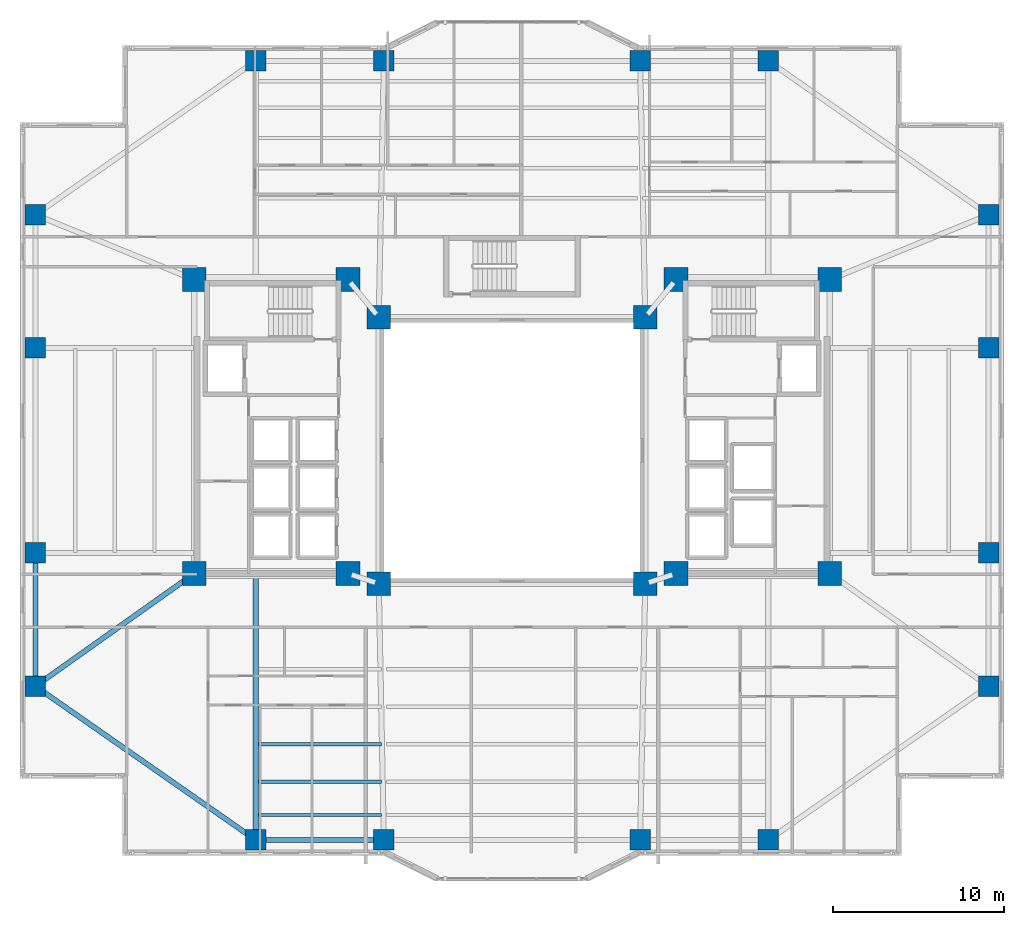
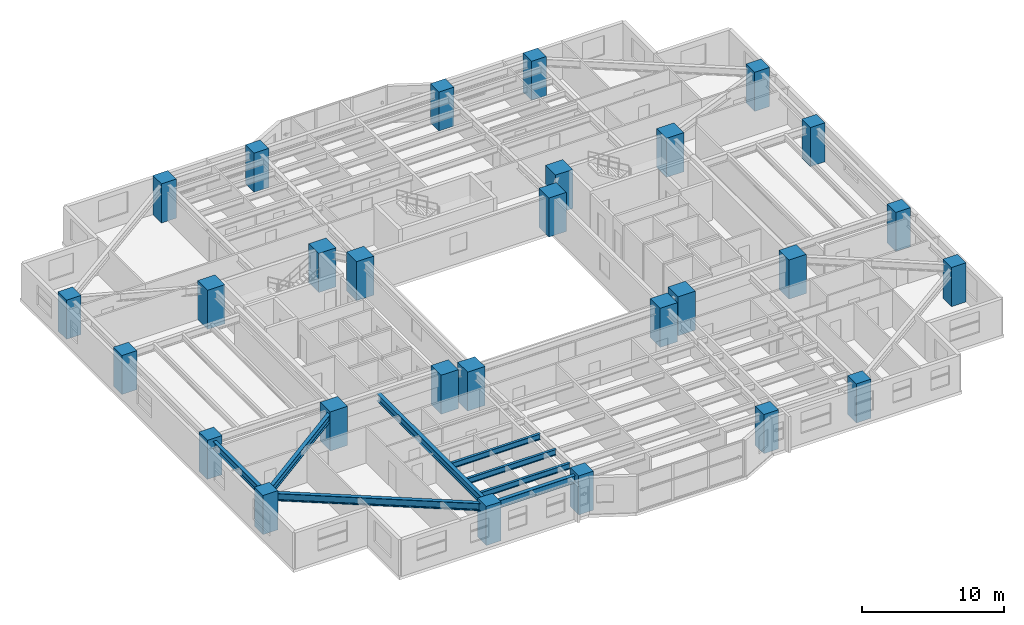
# One storey, part 1 of 20: 28 columns, 8 beams.
"""IFC4 building model written with IfcOpenShell, lengths in metres."""

from ifc_helpers import new_model, si_unit, direction, frame, origin, origin_2d, place, context, subcontext, project, spatial, rectangle, i_section, extrude, material, material_profile, profile_set, type_object, element, save


model = new_model("IFC4")

# Units and contexts
model_context = context("Model", 3, precision=1e-05, world=origin(), true_north=direction((0.0, 1.0)))
body_context = subcontext(model_context, "Body", "Model", "MODEL_VIEW")
ifc_project = project(units=[si_unit("LENGTHUNIT", "METRE"), si_unit("AREAUNIT", "SQUARE_METRE"), si_unit("VOLUMEUNIT", "CUBIC_METRE"), si_unit("PLANEANGLEUNIT", "RADIAN"), si_unit("MASSUNIT", "GRAM", prefix="KILO")], contexts=[model_context])

# Site, building, storey
site_placement = place(None, origin())
site = spatial("IfcSite", under=ifc_project, at=site_placement, CompositionType="ELEMENT")
building_placement = place(site_placement, origin())
building = spatial("IfcBuilding", under=site, at=building_placement, Name="Tarnavaz Court Tower", CompositionType="ELEMENT")
storey_placement = place(building_placement, frame((0.0, 0.0, 34.050048828125)))
storey = spatial("IfcBuildingStorey", under=building, at=storey_placement, Name="L08", CompositionType="ELEMENT", Elevation=34.050048828125)

# Columns
ifc_material_1 = material(Name="Concrete C60/75", Category="concrete")
ifc_material_profile_1 = material_profile(ifc_material_1, rectangle(XDim=1.199951171875, YDim=1.199951171875, at=origin_2d()), Name="RC 1200X1200")
ifc_profile_set_1 = profile_set([ifc_material_profile_1], Name="Concrete C60/75")
column_type_1 = type_object("IfcColumnType", Name="CL-RC1200", PredefinedType="COLUMN", material=ifc_profile_set_1)
for number, where, z_axis, x_axis, name in (
    (1, (-15.0, 22.800048828125, 0.0), (0.0, 0.0, 1.0), (1.0, 0.0, 0.0), "L08 Column PN-1"),
    (2, (-7.5, 22.800048828125, 0.0), (0.0, 0.0, 1.0), (1.0, 0.0, 0.0), "L08 Column PN-2"),
    (3, (7.5, 22.800048828125, 0.0), (0.0, 0.0, 1.0), (1.0, 0.0, 0.0), "L08 Column PN-3"),
    (4, (15.0, 22.800048828125, 0.0), (0.0, 0.0, 1.0), (1.0, 0.0, 0.0), "L08 Column PN-4"),
    (5, (-15.0, -22.800048828125, 0.0), (0.0, 0.0, 1.0), (1.0, 0.0, 0.0), "L08 Column PS-1"),
    (6, (-7.5, -22.800048828125, 0.0), (0.0, 0.0, 1.0), (1.0, 0.0, 0.0), "L08 Column PS-2"),
    (7, (7.5, -22.800048828125, 0.0), (0.0, 0.0, 1.0), (1.0, 0.0, 0.0), "L08 Column PS-3"),
    (8, (15.0, -22.800048828125, 0.0), (0.0, 0.0, 1.0), (1.0, 0.0, 0.0), "L08 Column PS-4"),
    (9, (27.89990234375, -13.800048828125, 0.0), (0.0, 0.0, 1.0), (1.0, 0.0, 0.0), "L08 Column PE-1"),
    (10, (27.89990234375, -6.0, 0.0), (0.0, 0.0, 1.0), (1.0, 0.0, 0.0), "L08 Column PE-2"),
    (11, (27.89990234375, 6.0, 0.0), (0.0, 0.0, 1.0), (1.0, 0.0, 0.0), "L08 Column PE-3"),
    (12, (27.89990234375, 13.800048828125, 0.0), (0.0, 0.0, 1.0), (1.0, 0.0, 0.0), "L08 Column PE-4"),
    (13, (-27.89990234375, -13.800048828125, 0.0), (0.0, 0.0, 1.0), (1.0, 0.0, 0.0), "L08 Column PW-1"),
    (14, (-27.89990234375, -6.0, 0.0), (0.0, 0.0, 1.0), (1.0, 0.0, 0.0), "L08 Column PW-2"),
    (15, (-27.89990234375, 6.0, 0.0), (0.0, 0.0, 1.0), (1.0, 0.0, 0.0), "L08 Column PW-3"),
    (16, (-27.89990234375, 13.800048828125, 0.0), (0.0, 0.0, 1.0), (1.0, 0.0, 0.0), "L08 Column PW-4"),
):
    element("IfcColumn", number, at=place(storey_placement, frame(where, z_axis=z_axis, x_axis=x_axis)), inside=storey, type_object=column_type_1, Name=name, PredefinedType="COLUMN", context=body_context, shape_type="SweptSolid", body=[
        extrude(rectangle(XDim=1.199951171875, YDim=1.199951171875, at=origin_2d()), origin(), (0.0, 0.0, 1.0), 3.349853515625),
    ])
ifc_material_profile_2 = material_profile(ifc_material_1, rectangle(XDim=1.39990234375, YDim=1.39990234375, at=origin_2d()), Name="RC 1400X1400")
ifc_profile_set_2 = profile_set([ifc_material_profile_2], Name="Concrete C60/75")
column_type_2 = type_object("IfcColumnType", Name="CL-RC1400", PredefinedType="COLUMN", material=ifc_profile_set_2)
for number, where, z_axis, x_axis, name in (
    (17, (-7.800048828125, -7.800048828125, 0.0), (0.0, 0.0, 1.0), (1.0, 0.0, 0.0), "L08 Column IW-SW"),
    (18, (7.800048828125, -7.800048828125, 0.0), (0.0, 0.0, 1.0), (1.0, 0.0, 0.0), "L08 Column IW-SE"),
    (19, (-7.800048828125, 7.800048828125, 0.0), (0.0, 0.0, 1.0), (1.0, 0.0, 0.0), "L08 Column IW-NW"),
    (20, (7.800048828125, 7.800048828125, 0.0), (0.0, 0.0, 1.0), (1.0, 0.0, 0.0), "L08 Column IW-NE"),
    (21, (-9.60009765625, -7.199951171875, 0.0), (0.0, 0.0, 1.0), (1.0, 0.0, 0.0), "L08 Column CW-SI"),
    (22, (-9.60009765625, 10.0, 0.0), (0.0, 0.0, 1.0), (1.0, 0.0, 0.0), "L08 Column CW-NI"),
    (23, (9.60009765625, -7.199951171875, 0.0), (0.0, 0.0, 1.0), (1.0, 0.0, 0.0), "L08 Column CE-SI"),
    (24, (9.60009765625, 10.0, 0.0), (0.0, 0.0, 1.0), (1.0, 0.0, 0.0), "L08 Column CE-NI"),
    (25, (-18.60009765625, -7.199951171875, 0.0), (0.0, 0.0, 1.0), (1.0, 0.0, 0.0), "L08 Column CW-SO"),
    (26, (-18.60009765625, 10.0, 0.0), (0.0, 0.0, 1.0), (1.0, 0.0, 0.0), "L08 Column CW-NO"),
    (27, (18.60009765625, -7.199951171875, 0.0), (0.0, 0.0, 1.0), (1.0, 0.0, 0.0), "L08 Column CE-SO"),
    (28, (18.60009765625, 10.0, 0.0), (0.0, 0.0, 1.0), (1.0, 0.0, 0.0), "L08 Column CE-NO"),
):
    element("IfcColumn", number, at=place(storey_placement, frame(where, z_axis=z_axis, x_axis=x_axis)), inside=storey, type_object=column_type_2, Name=name, PredefinedType="COLUMN", context=body_context, shape_type="SweptSolid", body=[
        extrude(rectangle(XDim=1.39990234375, YDim=1.39990234375, at=origin_2d()), origin(), (0.0, 0.0, 1.0), 3.349853515625),
    ])

# Beams
ifc_material_2 = material(Name="Steel S355", Category="steel")
ifc_material_profile_3 = material_profile(ifc_material_2, i_section(OverallWidth=0.300048828125, OverallDepth=0.64990234375, WebThickness=0.01611328125, FlangeThickness=0.031005859375, FilletRadius=0.027099609375, at=origin_2d()), Name="HEB 650")
ifc_profile_set_3 = profile_set([ifc_material_profile_3], Name="Steel S355")
beam_type_1 = type_object("IfcBeamType", Name="BM-G-HEB650", PredefinedType="USERDEFINED", material=ifc_profile_set_3)
beam_1_placement = place(storey_placement, frame((-15.0, -7.239990234375, 2.77490234375), z_axis=(0.0, -1.0, 0.0), x_axis=(1.0, 0.0, 0.0)))
element("IfcBeam", 29, at=beam_1_placement, inside=storey, type_object=beam_type_1, Name="L08 Beam RG-05", ObjectType="GIRDER", PredefinedType="USERDEFINED", context=body_context, shape_type="SweptSolid", body=[
    extrude(i_section(OverallWidth=0.300048828125, OverallDepth=0.64990234375, WebThickness=0.01611328125, FlangeThickness=0.031005859375, FilletRadius=0.027099609375, at=origin_2d()), origin(), (0.0, 0.0, 1.0), 15.340087890625),
])
beam_2_placement = place(storey_placement, frame((-18.779296875, -7.327392578125, 2.77490234375), z_axis=(-0.815520027245, -0.578728852886, 0.0), x_axis=(0.578728852886, -0.815520027245, 0.0)))
element("IfcBeam", 30, at=beam_2_placement, inside=storey, type_object=beam_type_1, Name="L08 Beam RG-15", ObjectType="GIRDER", PredefinedType="USERDEFINED", context=body_context, shape_type="SweptSolid", body=[
    extrude(i_section(OverallWidth=0.300048828125, OverallDepth=0.64990234375, WebThickness=0.01611328125, FlangeThickness=0.031005859375, FilletRadius=0.027099609375, at=origin_2d()), origin(), (0.0, 0.0, 1.0), 10.964111328125),
])
ifc_material_profile_4 = material_profile(ifc_material_2, i_section(OverallWidth=0.199951171875, OverallDepth=0.5, WebThickness=0.01025390625, FlangeThickness=0.01611328125, FilletRadius=0.02099609375, at=origin_2d()), Name="IPE 500")
ifc_profile_set_4 = profile_set([ifc_material_profile_4], Name="Steel S355")
beam_type_2 = type_object("IfcBeamType", Name="BM-J-IPE500", PredefinedType="JOIST", material=ifc_profile_set_4)
for number, where, z_axis, x_axis, name in (
    (31, (-14.85009765625, -17.18798828125, 2.849853515625), (1.0, 0.0, 0.0), (0.0, 1.0, 0.0), "L08 Beam JS3-1"),
    (32, (-14.85009765625, -19.384033203125, 2.849853515625), (1.0, 0.0, 0.0), (0.0, 1.0, 0.0), "L08 Beam JS4-1"),
    (33, (-14.85009765625, -21.3359375, 2.849853515625), (1.0, 0.0, 0.0), (0.0, 1.0, 0.0), "L08 Beam JS5-1"),
):
    element("IfcBeam", number, at=place(storey_placement, frame(where, z_axis=z_axis, x_axis=x_axis)), inside=storey, type_object=beam_type_2, Name=name, PredefinedType="JOIST", context=body_context, shape_type="SweptSolid", body=[
        extrude(i_section(OverallWidth=0.199951171875, OverallDepth=0.5, WebThickness=0.01025390625, FlangeThickness=0.01611328125, FilletRadius=0.02099609375, at=origin_2d()), origin(), (0.0, 0.0, 1.0), 7.2001953125),
    ])
ifc_material_profile_5 = material_profile(ifc_material_2, i_section(OverallWidth=0.300048828125, OverallDepth=0.639892578125, WebThickness=0.013427734375, FlangeThickness=0.02587890625, FilletRadius=0.027099609375, at=origin_2d()), Name="HEA 650")
ifc_profile_set_5 = profile_set([ifc_material_profile_5], Name="Steel S355")
beam_type_3 = type_object("IfcBeamType", Name="BM-SP-HEA650", PredefinedType="SPANDREL", material=ifc_profile_set_5)
beam_3_placement = place(storey_placement, frame((-14.780029296875, -22.800048828125, 2.780029296875), z_axis=(1.0, 0.0, 0.0), x_axis=(0.0, 1.0, 0.0)))
element("IfcBeam", 34, at=beam_3_placement, inside=storey, type_object=beam_type_3, Name="L08 Beam PR-PS-1-PS-2", PredefinedType="SPANDREL", context=body_context, shape_type="SweptSolid", body=[
    extrude(i_section(OverallWidth=0.300048828125, OverallDepth=0.639892578125, WebThickness=0.013427734375, FlangeThickness=0.02587890625, FilletRadius=0.027099609375, at=origin_2d()), origin(), (0.0, 0.0, 1.0), 7.06005859375),
])
beam_4_placement = place(storey_placement, frame((-27.89990234375, -13.580078125, 2.780029296875), z_axis=(0.0, 1.0, 0.0), x_axis=(-1.0, 0.0, 0.0)))
element("IfcBeam", 35, at=beam_4_placement, inside=storey, type_object=beam_type_3, Name="L08 Beam PR-PW-1-PW-2", PredefinedType="SPANDREL", context=body_context, shape_type="SweptSolid", body=[
    extrude(i_section(OverallWidth=0.300048828125, OverallDepth=0.639892578125, WebThickness=0.013427734375, FlangeThickness=0.02587890625, FilletRadius=0.027099609375, at=origin_2d()), origin(), (0.0, 0.0, 1.0), 7.360107421875),
])
beam_5_placement = place(storey_placement, frame((-15.180419921875, -22.674072265625, 2.780029296875), z_axis=(-0.820123643324, 0.572186341729, 0.0), x_axis=(-0.572186341729, -0.820123643324, 0.0)))
element("IfcBeam", 36, at=beam_5_placement, inside=storey, type_object=beam_type_3, Name="L08 Beam PR-PS-1-PW-1", PredefinedType="SPANDREL", context=body_context, shape_type="SweptSolid", body=[
    extrude(i_section(OverallWidth=0.300048828125, OverallDepth=0.639892578125, WebThickness=0.013427734375, FlangeThickness=0.02587890625, FilletRadius=0.027099609375, at=origin_2d()), origin(), (0.0, 0.0, 1.0), 15.289306640625),
])

save(model, "model.ifc")
